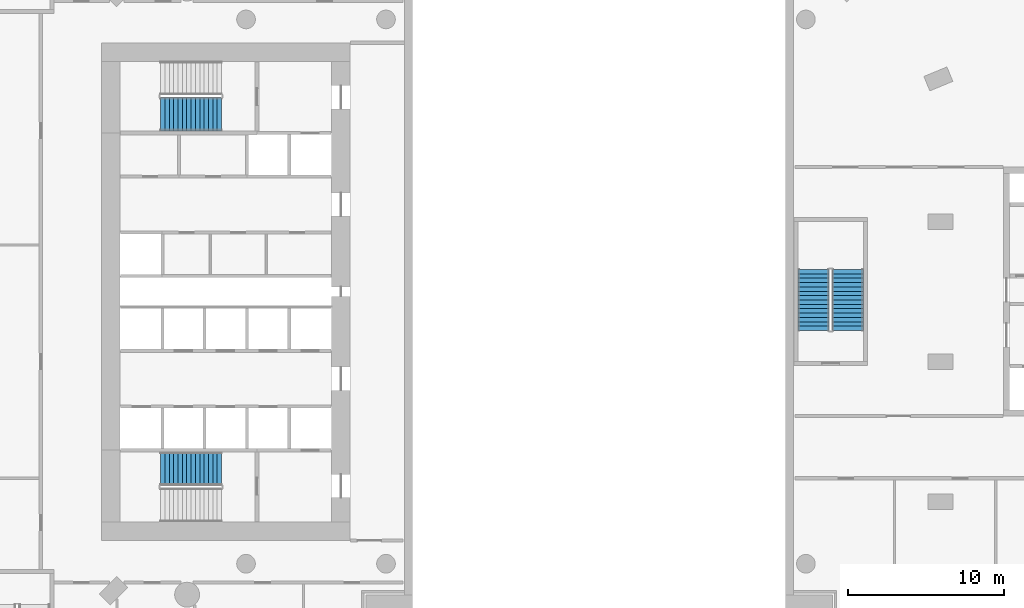
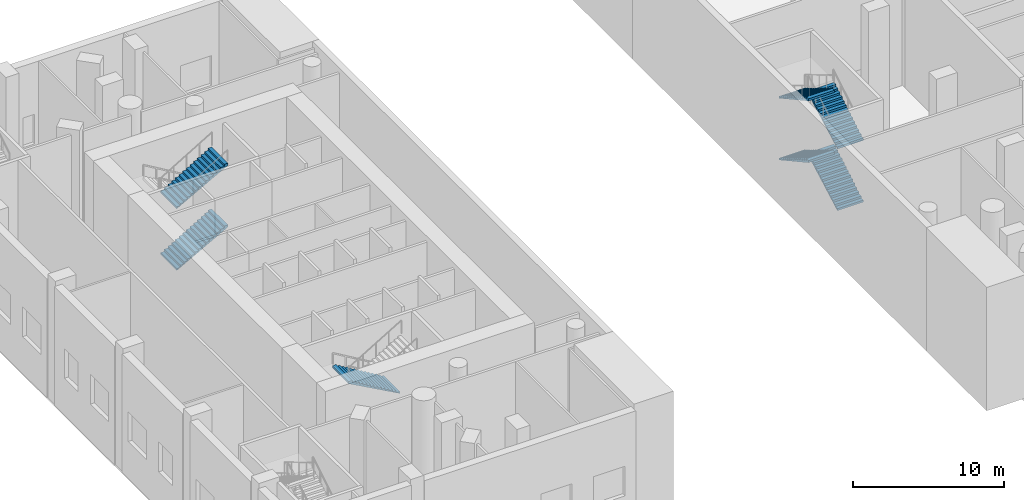
# One storey, part 11 of 17: 7 stair flights, 3 elements without a shape of their own.
"""IFC4 building model written with IfcOpenShell, lengths in metres."""

from ifc_helpers import new_model, si_unit, direction, frame, origin, place, context, subcontext, project, spatial, triangles, material, type_object, element, aggregate, save


model = new_model("IFC4")

# Units and contexts
model_context = context("Model", 3, precision=1e-05, world=origin(), true_north=direction((0.0, 1.0)))
body_context = subcontext(model_context, "Body", "Model", "MODEL_VIEW")
ifc_project = project(units=[si_unit("LENGTHUNIT", "METRE"), si_unit("AREAUNIT", "SQUARE_METRE"), si_unit("VOLUMEUNIT", "CUBIC_METRE"), si_unit("PLANEANGLEUNIT", "RADIAN"), si_unit("MASSUNIT", "GRAM", prefix="KILO")], contexts=[model_context])

# Site, building, storey
site_placement = place(None, origin())
site = spatial("IfcSite", under=ifc_project, at=site_placement, CompositionType="ELEMENT")
building_placement = place(site_placement, origin())
building = spatial("IfcBuilding", under=site, at=building_placement, Name="Cypress Arch Tower", CompositionType="ELEMENT")
storey_placement = place(building_placement, frame((0.0, 0.0, 19.0)))
storey = spatial("IfcBuildingStorey", under=building, at=storey_placement, Name="L02", CompositionType="ELEMENT", Elevation=19.0)

# Stair, stair flights
ifc_material_1 = material(Name="Concrete C40/50", Category="concrete")
stair_type_1 = type_object("IfcStairType", Name="Exit stair ES1667-200", PredefinedType="HALF_TURN_STAIR", material=ifc_material_1)
stair_1_placement = place(storey_placement, origin())
stair_1 = element("IfcStair", 1, at=stair_1_placement, inside=storey, type_object=stair_type_1, Name="L02 Exit stair C", PredefinedType="HALF_TURN_STAIR")
ifc_material_2 = material(Name="Concrete C40/50", Category="concrete")
stair_flight_type_1 = type_object("IfcStairFlightType", Name="Exit stair flight ES1667-200", PredefinedType="STRAIGHT", material=ifc_material_2)
stair_flight_1_placement = place(storey_placement, frame((18.0, -2.5, 0.0), z_axis=(0.0, 0.0, 1.0), x_axis=(0.0, 1.0, 0.0)))
stair_flight_1 = element("IfcStairFlight", 2, at=stair_flight_1_placement, type_object=stair_flight_type_1, Name="C flight 1", NumberOfRisers=15, NumberOfTreads=14, PredefinedType="STRAIGHT", RiserHeight=0.166666667, TreadLength=0.28, context=body_context, shape_type="Tessellation", body=[
    triangles([(0.0, -1.0, 0.0), (0.0, -1.0, 0.166748046875), (0.280029296875, -1.0, 0.166748046875), (0.280029296875, -1.0, 0.333251953125), (0.56005859375, -1.0, 0.333251953125), (0.56005859375, -1.0, 0.5), (0.840087890625, -1.0, 0.5), (0.840087890625, -1.0, 0.666748046875), (1.1201171875, -1.0, 0.666748046875), (1.1201171875, -1.0, 0.833251953125), (1.39990234375, -1.0, 0.833251953125), (1.39990234375, -1.0, 1.0), (1.679931640625, -1.0, 1.0), (1.679931640625, -1.0, 1.166748046875), (1.9599609375, -1.0, 1.166748046875), (1.9599609375, -1.0, 1.333251953125), (2.239990234375, -1.0, 1.333251953125), (2.239990234375, -1.0, 1.5), (2.52001953125, -1.0, 1.5), (2.52001953125, -1.0, 1.666748046875), (2.800048828125, -1.0, 1.666748046875), (2.800048828125, -1.0, 1.833251953125), (3.080078125, -1.0, 1.833251953125), (3.080078125, -1.0, 2.0), (3.360107421875, -1.0, 2.0), (3.360107421875, -1.0, 2.166748046875), (3.639892578125, -1.0, 2.166748046875), (3.639892578125, -1.0, 2.333251953125), (3.919921875, -1.0, 2.333251953125), (3.919921875, -1.0, 2.158935546875), (3.919921875, 1.0, 2.158935546875), (3.919921875, 1.0, 2.333251953125), (3.639892578125, 1.0, 2.333251953125), (3.639892578125, 1.0, 2.166748046875), (3.360107421875, 1.0, 2.166748046875), (3.360107421875, 1.0, 2.0), (3.080078125, 1.0, 2.0), (3.080078125, 1.0, 1.833251953125), (2.800048828125, 1.0, 1.833251953125), (2.800048828125, 1.0, 1.666748046875), (2.52001953125, 1.0, 1.666748046875), (2.52001953125, 1.0, 1.5), (2.239990234375, 1.0, 1.5), (2.239990234375, 1.0, 1.333251953125), (1.9599609375, 1.0, 1.333251953125), (1.9599609375, 1.0, 1.166748046875), (1.679931640625, 1.0, 1.166748046875), (1.679931640625, 1.0, 1.0), (1.39990234375, 1.0, 1.0), (1.39990234375, 1.0, 0.833251953125), (1.1201171875, 1.0, 0.833251953125), (1.1201171875, 1.0, 0.666748046875), (0.840087890625, 1.0, 0.666748046875), (0.840087890625, 1.0, 0.5), (0.56005859375, 1.0, 0.5), (0.56005859375, 1.0, 0.333251953125), (0.280029296875, 1.0, 0.333251953125), (0.280029296875, 1.0, 0.166748046875), (0.0, 1.0, 0.166748046875), (0.0, 1.0, 0.0)], [[30, 29, 28], [27, 26, 25], [25, 24, 23], [21, 20, 19], [19, 18, 17], [15, 14, 13], [13, 12, 11], [9, 8, 7], [7, 6, 5], [3, 2, 1], [11, 10, 9], [23, 22, 21], [17, 16, 15], [5, 4, 3], [30, 28, 27], [30, 27, 25], [30, 25, 23], [30, 23, 21], [30, 21, 19], [30, 19, 17], [30, 17, 15], [30, 15, 13], [30, 13, 11], [30, 11, 9], [30, 9, 7], [30, 7, 5], [1, 30, 5], [5, 3, 1], [31, 33, 32], [34, 36, 35], [36, 38, 37], [40, 42, 41], [42, 44, 43], [46, 48, 47], [48, 50, 49], [52, 54, 53], [54, 56, 55], [58, 60, 59], [50, 52, 51], [38, 40, 39], [44, 46, 45], [56, 58, 57], [31, 34, 33], [31, 36, 34], [31, 38, 36], [31, 40, 38], [31, 42, 40], [31, 44, 42], [31, 46, 44], [31, 48, 46], [31, 50, 48], [31, 52, 50], [31, 54, 52], [31, 56, 54], [60, 56, 31], [56, 60, 58], [31, 32, 29], [31, 29, 30], [32, 33, 28], [32, 28, 29], [33, 34, 27], [33, 27, 28], [34, 35, 26], [34, 26, 27], [35, 36, 25], [35, 25, 26], [36, 37, 24], [36, 24, 25], [37, 38, 23], [37, 23, 24], [38, 39, 22], [38, 22, 23], [39, 40, 21], [39, 21, 22], [40, 41, 20], [40, 20, 21], [41, 42, 19], [41, 19, 20], [42, 43, 18], [42, 18, 19], [43, 44, 17], [43, 17, 18], [44, 45, 16], [44, 16, 17], [45, 46, 15], [45, 15, 16], [46, 47, 14], [46, 14, 15], [47, 48, 13], [47, 13, 14], [48, 49, 12], [48, 12, 13], [49, 50, 11], [49, 11, 12], [50, 51, 10], [50, 10, 11], [51, 52, 9], [51, 9, 10], [52, 53, 8], [52, 8, 9], [53, 54, 7], [53, 7, 8], [54, 55, 6], [54, 6, 7], [55, 56, 5], [55, 5, 6], [56, 57, 4], [56, 4, 5], [57, 58, 3], [57, 3, 4], [58, 59, 2], [58, 2, 3], [59, 60, 1], [59, 1, 2], [60, 31, 30], [60, 30, 1]], closed=True),
])
stair_flight_2_placement = place(storey_placement, frame((15.800048828125, 1.419921875, 2.5), z_axis=(0.0, 0.0, 1.0), x_axis=(0.0, -1.0, 0.0)))
stair_flight_2 = element("IfcStairFlight", 3, at=stair_flight_2_placement, type_object=stair_flight_type_1, Name="C flight 2", NumberOfRisers=15, NumberOfTreads=14, PredefinedType="STRAIGHT", RiserHeight=0.166666667, TreadLength=0.28, context=body_context, shape_type="Tessellation", body=[
    triangles([(0.0, -1.0, 0.0), (0.0, -1.0, 0.166748046875), (0.280029296875, -1.0, 0.166748046875), (0.280029296875, -1.0, 0.333251953125), (0.56005859375, -1.0, 0.333251953125), (0.56005859375, -1.0, 0.5), (0.840087890625, -1.0, 0.5), (0.840087890625, -1.0, 0.666748046875), (1.1201171875, -1.0, 0.666748046875), (1.1201171875, -1.0, 0.833251953125), (1.39990234375, -1.0, 0.833251953125), (1.39990234375, -1.0, 1.0), (1.679931640625, -1.0, 1.0), (1.679931640625, -1.0, 1.166748046875), (1.9599609375, -1.0, 1.166748046875), (1.9599609375, -1.0, 1.333251953125), (2.239990234375, -1.0, 1.333251953125), (2.239990234375, -1.0, 1.5), (2.52001953125, -1.0, 1.5), (2.52001953125, -1.0, 1.666748046875), (2.800048828125, -1.0, 1.666748046875), (2.800048828125, -1.0, 1.833251953125), (3.080078125, -1.0, 1.833251953125), (3.080078125, -1.0, 2.0), (3.360107421875, -1.0, 2.0), (3.360107421875, -1.0, 2.166748046875), (3.639892578125, -1.0, 2.166748046875), (3.639892578125, -1.0, 2.333251953125), (3.919921875, -1.0, 2.333251953125), (3.919921875, -1.0, 2.158935546875), (3.919921875, 1.0, 2.158935546875), (3.919921875, 1.0, 2.333251953125), (3.639892578125, 1.0, 2.333251953125), (3.639892578125, 1.0, 2.166748046875), (3.360107421875, 1.0, 2.166748046875), (3.360107421875, 1.0, 2.0), (3.080078125, 1.0, 2.0), (3.080078125, 1.0, 1.833251953125), (2.800048828125, 1.0, 1.833251953125), (2.800048828125, 1.0, 1.666748046875), (2.52001953125, 1.0, 1.666748046875), (2.52001953125, 1.0, 1.5), (2.239990234375, 1.0, 1.5), (2.239990234375, 1.0, 1.333251953125), (1.9599609375, 1.0, 1.333251953125), (1.9599609375, 1.0, 1.166748046875), (1.679931640625, 1.0, 1.166748046875), (1.679931640625, 1.0, 1.0), (1.39990234375, 1.0, 1.0), (1.39990234375, 1.0, 0.833251953125), (1.1201171875, 1.0, 0.833251953125), (1.1201171875, 1.0, 0.666748046875), (0.840087890625, 1.0, 0.666748046875), (0.840087890625, 1.0, 0.5), (0.56005859375, 1.0, 0.5), (0.56005859375, 1.0, 0.333251953125), (0.280029296875, 1.0, 0.333251953125), (0.280029296875, 1.0, 0.166748046875), (0.0, 1.0, 0.166748046875), (0.0, 1.0, 0.0)], [[30, 29, 28], [27, 26, 25], [25, 24, 23], [21, 20, 19], [19, 18, 17], [15, 14, 13], [13, 12, 11], [9, 8, 7], [7, 6, 5], [3, 2, 1], [11, 10, 9], [23, 22, 21], [17, 16, 15], [5, 4, 3], [30, 28, 27], [30, 27, 25], [30, 25, 23], [30, 23, 21], [30, 21, 19], [30, 19, 17], [30, 17, 15], [30, 15, 13], [30, 13, 11], [30, 11, 9], [30, 9, 7], [30, 7, 5], [1, 30, 5], [5, 3, 1], [31, 33, 32], [34, 36, 35], [36, 38, 37], [40, 42, 41], [42, 44, 43], [46, 48, 47], [48, 50, 49], [52, 54, 53], [54, 56, 55], [58, 60, 59], [50, 52, 51], [38, 40, 39], [44, 46, 45], [56, 58, 57], [31, 34, 33], [31, 36, 34], [31, 38, 36], [31, 40, 38], [31, 42, 40], [31, 44, 42], [31, 46, 44], [31, 48, 46], [31, 50, 48], [31, 52, 50], [31, 54, 52], [31, 56, 54], [60, 56, 31], [56, 60, 58], [31, 32, 29], [31, 29, 30], [32, 33, 28], [32, 28, 29], [33, 34, 27], [33, 27, 28], [34, 35, 26], [34, 26, 27], [35, 36, 25], [35, 25, 26], [36, 37, 24], [36, 24, 25], [37, 38, 23], [37, 23, 24], [38, 39, 22], [38, 22, 23], [39, 40, 21], [39, 21, 22], [40, 41, 20], [40, 20, 21], [41, 42, 19], [41, 19, 20], [42, 43, 18], [42, 18, 19], [43, 44, 17], [43, 17, 18], [44, 45, 16], [44, 16, 17], [45, 46, 15], [45, 15, 16], [46, 47, 14], [46, 14, 15], [47, 48, 13], [47, 13, 14], [48, 49, 12], [48, 12, 13], [49, 50, 11], [49, 11, 12], [50, 51, 10], [50, 10, 11], [51, 52, 9], [51, 9, 10], [52, 53, 8], [52, 8, 9], [53, 54, 7], [53, 7, 8], [54, 55, 6], [54, 6, 7], [55, 56, 5], [55, 5, 6], [56, 57, 4], [56, 4, 5], [57, 58, 3], [57, 3, 4], [58, 59, 2], [58, 2, 3], [59, 60, 1], [59, 1, 2], [60, 31, 30], [60, 30, 1]], closed=True),
])
stair_flight_3_placement = place(storey_placement, frame((18.0, -2.5, 5.0), z_axis=(0.0, 0.0, 1.0), x_axis=(0.0, 1.0, 0.0)))
stair_flight_3 = element("IfcStairFlight", 4, at=stair_flight_3_placement, type_object=stair_flight_type_1, Name="C flight 3", NumberOfRisers=15, NumberOfTreads=14, PredefinedType="STRAIGHT", RiserHeight=0.166666667, TreadLength=0.28, context=body_context, shape_type="Tessellation", body=[
    triangles([(0.0, -1.0, 0.0), (0.0, -1.0, 0.166748046875), (0.280029296875, -1.0, 0.166748046875), (0.280029296875, -1.0, 0.333251953125), (0.56005859375, -1.0, 0.333251953125), (0.56005859375, -1.0, 0.5), (0.840087890625, -1.0, 0.5), (0.840087890625, -1.0, 0.666748046875), (1.1201171875, -1.0, 0.666748046875), (1.1201171875, -1.0, 0.833251953125), (1.39990234375, -1.0, 0.833251953125), (1.39990234375, -1.0, 1.0), (1.679931640625, -1.0, 1.0), (1.679931640625, -1.0, 1.166748046875), (1.9599609375, -1.0, 1.166748046875), (1.9599609375, -1.0, 1.333251953125), (2.239990234375, -1.0, 1.333251953125), (2.239990234375, -1.0, 1.5), (2.52001953125, -1.0, 1.5), (2.52001953125, -1.0, 1.666748046875), (2.800048828125, -1.0, 1.666748046875), (2.800048828125, -1.0, 1.833251953125), (3.080078125, -1.0, 1.833251953125), (3.080078125, -1.0, 2.0), (3.360107421875, -1.0, 2.0), (3.360107421875, -1.0, 2.166748046875), (3.639892578125, -1.0, 2.166748046875), (3.639892578125, -1.0, 2.333251953125), (3.919921875, -1.0, 2.333251953125), (3.919921875, -1.0, 2.158935546875), (3.919921875, 1.0, 2.158935546875), (3.919921875, 1.0, 2.333251953125), (3.639892578125, 1.0, 2.333251953125), (3.639892578125, 1.0, 2.166748046875), (3.360107421875, 1.0, 2.166748046875), (3.360107421875, 1.0, 2.0), (3.080078125, 1.0, 2.0), (3.080078125, 1.0, 1.833251953125), (2.800048828125, 1.0, 1.833251953125), (2.800048828125, 1.0, 1.666748046875), (2.52001953125, 1.0, 1.666748046875), (2.52001953125, 1.0, 1.5), (2.239990234375, 1.0, 1.5), (2.239990234375, 1.0, 1.333251953125), (1.9599609375, 1.0, 1.333251953125), (1.9599609375, 1.0, 1.166748046875), (1.679931640625, 1.0, 1.166748046875), (1.679931640625, 1.0, 1.0), (1.39990234375, 1.0, 1.0), (1.39990234375, 1.0, 0.833251953125), (1.1201171875, 1.0, 0.833251953125), (1.1201171875, 1.0, 0.666748046875), (0.840087890625, 1.0, 0.666748046875), (0.840087890625, 1.0, 0.5), (0.56005859375, 1.0, 0.5), (0.56005859375, 1.0, 0.333251953125), (0.280029296875, 1.0, 0.333251953125), (0.280029296875, 1.0, 0.166748046875), (0.0, 1.0, 0.166748046875), (0.0, 1.0, 0.0)], [[30, 29, 28], [27, 26, 25], [25, 24, 23], [21, 20, 19], [19, 18, 17], [15, 14, 13], [13, 12, 11], [9, 8, 7], [7, 6, 5], [3, 2, 1], [11, 10, 9], [23, 22, 21], [17, 16, 15], [5, 4, 3], [30, 28, 27], [30, 27, 25], [30, 25, 23], [30, 23, 21], [30, 21, 19], [30, 19, 17], [30, 17, 15], [30, 15, 13], [30, 13, 11], [30, 11, 9], [30, 9, 7], [30, 7, 5], [1, 30, 5], [5, 3, 1], [31, 33, 32], [34, 36, 35], [36, 38, 37], [40, 42, 41], [42, 44, 43], [46, 48, 47], [48, 50, 49], [52, 54, 53], [54, 56, 55], [58, 60, 59], [50, 52, 51], [38, 40, 39], [44, 46, 45], [56, 58, 57], [31, 34, 33], [31, 36, 34], [31, 38, 36], [31, 40, 38], [31, 42, 40], [31, 44, 42], [31, 46, 44], [31, 48, 46], [31, 50, 48], [31, 52, 50], [31, 54, 52], [31, 56, 54], [60, 56, 31], [56, 60, 58], [31, 32, 29], [31, 29, 30], [32, 33, 28], [32, 28, 29], [33, 34, 27], [33, 27, 28], [34, 35, 26], [34, 26, 27], [35, 36, 25], [35, 25, 26], [36, 37, 24], [36, 24, 25], [37, 38, 23], [37, 23, 24], [38, 39, 22], [38, 22, 23], [39, 40, 21], [39, 21, 22], [40, 41, 20], [40, 20, 21], [41, 42, 19], [41, 19, 20], [42, 43, 18], [42, 18, 19], [43, 44, 17], [43, 17, 18], [44, 45, 16], [44, 16, 17], [45, 46, 15], [45, 15, 16], [46, 47, 14], [46, 14, 15], [47, 48, 13], [47, 13, 14], [48, 49, 12], [48, 12, 13], [49, 50, 11], [49, 11, 12], [50, 51, 10], [50, 10, 11], [51, 52, 9], [51, 9, 10], [52, 53, 8], [52, 8, 9], [53, 54, 7], [53, 7, 8], [54, 55, 6], [54, 6, 7], [55, 56, 5], [55, 5, 6], [56, 57, 4], [56, 4, 5], [57, 58, 3], [57, 3, 4], [58, 59, 2], [58, 2, 3], [59, 60, 1], [59, 1, 2], [60, 31, 30], [60, 30, 1]], closed=True),
])
stair_flight_4_placement = place(storey_placement, frame((15.800048828125, 1.419921875, 7.5), z_axis=(0.0, 0.0, 1.0), x_axis=(0.0, -1.0, 0.0)))
stair_flight_4 = element("IfcStairFlight", 5, at=stair_flight_4_placement, type_object=stair_flight_type_1, Name="C flight 4", NumberOfRisers=15, NumberOfTreads=14, PredefinedType="STRAIGHT", RiserHeight=0.166666667, TreadLength=0.28, context=body_context, shape_type="Tessellation", body=[
    triangles([(0.0, -1.0, 0.0), (0.0, -1.0, 0.166748046875), (0.280029296875, -1.0, 0.166748046875), (0.280029296875, -1.0, 0.333251953125), (0.56005859375, -1.0, 0.333251953125), (0.56005859375, -1.0, 0.5), (0.840087890625, -1.0, 0.5), (0.840087890625, -1.0, 0.666748046875), (1.1201171875, -1.0, 0.666748046875), (1.1201171875, -1.0, 0.833251953125), (1.39990234375, -1.0, 0.833251953125), (1.39990234375, -1.0, 1.0), (1.679931640625, -1.0, 1.0), (1.679931640625, -1.0, 1.166748046875), (1.9599609375, -1.0, 1.166748046875), (1.9599609375, -1.0, 1.333251953125), (2.239990234375, -1.0, 1.333251953125), (2.239990234375, -1.0, 1.5), (2.52001953125, -1.0, 1.5), (2.52001953125, -1.0, 1.666748046875), (2.800048828125, -1.0, 1.666748046875), (2.800048828125, -1.0, 1.833251953125), (3.080078125, -1.0, 1.833251953125), (3.080078125, -1.0, 2.0), (3.360107421875, -1.0, 2.0), (3.360107421875, -1.0, 2.166748046875), (3.639892578125, -1.0, 2.166748046875), (3.639892578125, -1.0, 2.333251953125), (3.919921875, -1.0, 2.333251953125), (3.919921875, -1.0, 2.158935546875), (3.919921875, 1.0, 2.158935546875), (3.919921875, 1.0, 2.333251953125), (3.639892578125, 1.0, 2.333251953125), (3.639892578125, 1.0, 2.166748046875), (3.360107421875, 1.0, 2.166748046875), (3.360107421875, 1.0, 2.0), (3.080078125, 1.0, 2.0), (3.080078125, 1.0, 1.833251953125), (2.800048828125, 1.0, 1.833251953125), (2.800048828125, 1.0, 1.666748046875), (2.52001953125, 1.0, 1.666748046875), (2.52001953125, 1.0, 1.5), (2.239990234375, 1.0, 1.5), (2.239990234375, 1.0, 1.333251953125), (1.9599609375, 1.0, 1.333251953125), (1.9599609375, 1.0, 1.166748046875), (1.679931640625, 1.0, 1.166748046875), (1.679931640625, 1.0, 1.0), (1.39990234375, 1.0, 1.0), (1.39990234375, 1.0, 0.833251953125), (1.1201171875, 1.0, 0.833251953125), (1.1201171875, 1.0, 0.666748046875), (0.840087890625, 1.0, 0.666748046875), (0.840087890625, 1.0, 0.5), (0.56005859375, 1.0, 0.5), (0.56005859375, 1.0, 0.333251953125), (0.280029296875, 1.0, 0.333251953125), (0.280029296875, 1.0, 0.166748046875), (0.0, 1.0, 0.166748046875), (0.0, 1.0, 0.0)], [[30, 29, 28], [27, 26, 25], [25, 24, 23], [21, 20, 19], [19, 18, 17], [15, 14, 13], [13, 12, 11], [9, 8, 7], [7, 6, 5], [3, 2, 1], [11, 10, 9], [23, 22, 21], [17, 16, 15], [5, 4, 3], [30, 28, 27], [30, 27, 25], [30, 25, 23], [30, 23, 21], [30, 21, 19], [30, 19, 17], [30, 17, 15], [30, 15, 13], [30, 13, 11], [30, 11, 9], [30, 9, 7], [30, 7, 5], [1, 30, 5], [5, 3, 1], [31, 33, 32], [34, 36, 35], [36, 38, 37], [40, 42, 41], [42, 44, 43], [46, 48, 47], [48, 50, 49], [52, 54, 53], [54, 56, 55], [58, 60, 59], [50, 52, 51], [38, 40, 39], [44, 46, 45], [56, 58, 57], [31, 34, 33], [31, 36, 34], [31, 38, 36], [31, 40, 38], [31, 42, 40], [31, 44, 42], [31, 46, 44], [31, 48, 46], [31, 50, 48], [31, 52, 50], [31, 54, 52], [31, 56, 54], [60, 56, 31], [56, 60, 58], [31, 32, 29], [31, 29, 30], [32, 33, 28], [32, 28, 29], [33, 34, 27], [33, 27, 28], [34, 35, 26], [34, 26, 27], [35, 36, 25], [35, 25, 26], [36, 37, 24], [36, 24, 25], [37, 38, 23], [37, 23, 24], [38, 39, 22], [38, 22, 23], [39, 40, 21], [39, 21, 22], [40, 41, 20], [40, 20, 21], [41, 42, 19], [41, 19, 20], [42, 43, 18], [42, 18, 19], [43, 44, 17], [43, 17, 18], [44, 45, 16], [44, 16, 17], [45, 46, 15], [45, 15, 16], [46, 47, 14], [46, 14, 15], [47, 48, 13], [47, 13, 14], [48, 49, 12], [48, 12, 13], [49, 50, 11], [49, 11, 12], [50, 51, 10], [50, 10, 11], [51, 52, 9], [51, 9, 10], [52, 53, 8], [52, 8, 9], [53, 54, 7], [53, 7, 8], [54, 55, 6], [54, 6, 7], [55, 56, 5], [55, 5, 6], [56, 57, 4], [56, 4, 5], [57, 58, 3], [57, 3, 4], [58, 59, 2], [58, 2, 3], [59, 60, 1], [59, 1, 2], [60, 31, 30], [60, 30, 1]], closed=True),
])
aggregate(stair_1, [stair_flight_1, stair_flight_2, stair_flight_3, stair_flight_4])

# Stair, stair flight
ifc_material_3 = material(Name="Concrete C40/50", Category="concrete")
stair_type_2 = type_object("IfcStairType", Name="Exit stair ES1667-215", PredefinedType="HALF_TURN_STAIR", material=ifc_material_3)
stair_2_placement = place(storey_placement, origin())
stair_2 = element("IfcStair", 6, at=stair_2_placement, inside=storey, type_object=stair_type_2, Name="L02 Exit stair A", PredefinedType="HALF_TURN_STAIR")
ifc_material_4 = material(Name="Concrete C40/50", Category="concrete")
stair_flight_type_2 = type_object("IfcStairFlightType", Name="Exit stair flight ES1667-215", PredefinedType="STRAIGHT", material=ifc_material_4)
stair_flight_5_placement = place(storey_placement, frame((-22.27490234375, -11.39990234375, 5.0), z_axis=(0.0, 0.0, 1.0), x_axis=(-1.0, 0.0, 0.0)))
stair_flight_5 = element("IfcStairFlight", 7, at=stair_flight_5_placement, type_object=stair_flight_type_2, Name="A flight 3", NumberOfRisers=15, NumberOfTreads=14, PredefinedType="STRAIGHT", RiserHeight=0.166666667, TreadLength=0.28, context=body_context, shape_type="Tessellation", body=[
    triangles([(0.0, -1.074951171875, 0.0), (0.00048828125, -1.074951171875, 0.0556640625), (0.00048828125, -1.074951171875, 0.111083984375), (0.0, -1.074951171875, 0.166748046875), (0.280029296875, -1.074951171875, 0.166748046875), (0.280029296875, -1.074951171875, 0.333251953125), (0.56005859375, -1.074951171875, 0.333251953125), (0.56005859375, -1.074951171875, 0.5), (0.840087890625, -1.074951171875, 0.5), (0.840087890625, -1.074951171875, 0.666748046875), (1.1201171875, -1.074951171875, 0.666748046875), (1.1201171875, -1.074951171875, 0.833251953125), (1.39990234375, -1.074951171875, 0.833251953125), (1.39990234375, -1.074951171875, 1.0), (1.679931640625, -1.074951171875, 1.0), (1.679931640625, -1.074951171875, 1.166748046875), (1.9599609375, -1.074951171875, 1.166748046875), (1.9599609375, -1.074951171875, 1.333251953125), (2.239990234375, -1.074951171875, 1.333251953125), (2.239990234375, -1.074951171875, 1.5), (2.52001953125, -1.074951171875, 1.5), (2.52001953125, -1.074951171875, 1.666748046875), (2.800048828125, -1.074951171875, 1.666748046875), (2.800048828125, -1.074951171875, 1.833251953125), (3.080078125, -1.074951171875, 1.833251953125), (3.080078125, -1.074951171875, 2.0), (3.360107421875, -1.074951171875, 2.0), (3.360107421875, -1.074951171875, 2.166748046875), (3.639892578125, -1.074951171875, 2.166748046875), (3.639892578125, -1.074951171875, 2.333251953125), (3.919921875, -1.074951171875, 2.333251953125), (3.91943359375, -1.074951171875, 2.275146484375), (3.91943359375, -1.074951171875, 2.217041015625), (3.919921875, -1.074951171875, 2.158935546875), (3.919921875, 1.074951171875, 2.158935546875), (3.91943359375, 1.074951171875, 2.217041015625), (3.91943359375, 1.074951171875, 2.275146484375), (3.919921875, 1.074951171875, 2.333251953125), (3.639892578125, 1.074951171875, 2.333251953125), (3.639892578125, 1.074951171875, 2.166748046875), (3.360107421875, 1.074951171875, 2.166748046875), (3.360107421875, 1.074951171875, 2.0), (3.080078125, 1.074951171875, 2.0), (3.080078125, 1.074951171875, 1.833251953125), (2.800048828125, 1.074951171875, 1.833251953125), (2.800048828125, 1.074951171875, 1.666748046875), (2.52001953125, 1.074951171875, 1.666748046875), (2.52001953125, 1.074951171875, 1.5), (2.239990234375, 1.074951171875, 1.5), (2.239990234375, 1.074951171875, 1.333251953125), (1.9599609375, 1.074951171875, 1.333251953125), (1.9599609375, 1.074951171875, 1.166748046875), (1.679931640625, 1.074951171875, 1.166748046875), (1.679931640625, 1.074951171875, 1.0), (1.39990234375, 1.074951171875, 1.0), (1.39990234375, 1.074951171875, 0.833251953125), (1.1201171875, 1.074951171875, 0.833251953125), (1.1201171875, 1.074951171875, 0.666748046875), (0.840087890625, 1.074951171875, 0.666748046875), (0.840087890625, 1.074951171875, 0.5), (0.56005859375, 1.074951171875, 0.5), (0.56005859375, 1.074951171875, 0.333251953125), (0.280029296875, 1.074951171875, 0.333251953125), (0.280029296875, 1.074951171875, 0.166748046875), (0.0, 1.074951171875, 0.166748046875), (0.00048828125, 1.074951171875, 0.111083984375), (0.00048828125, 1.074951171875, 0.0556640625), (0.0, 1.074951171875, 0.0)], [[34, 33, 30], [33, 32, 30], [32, 31, 30], [29, 28, 27], [27, 26, 25], [23, 22, 21], [21, 20, 19], [17, 16, 15], [15, 14, 13], [11, 10, 9], [9, 8, 7], [4, 3, 5], [3, 2, 5], [2, 1, 5], [13, 12, 11], [25, 24, 23], [19, 18, 17], [7, 6, 5], [34, 30, 29], [34, 29, 27], [34, 27, 25], [34, 25, 23], [34, 23, 21], [34, 21, 19], [34, 19, 17], [34, 17, 15], [34, 15, 13], [34, 13, 11], [34, 11, 9], [34, 9, 7], [1, 34, 7], [7, 5, 1], [35, 39, 36], [36, 39, 37], [37, 39, 38], [40, 42, 41], [42, 44, 43], [46, 48, 47], [48, 50, 49], [52, 54, 53], [54, 56, 55], [58, 60, 59], [60, 62, 61], [65, 64, 66], [66, 64, 67], [67, 64, 68], [56, 58, 57], [44, 46, 45], [50, 52, 51], [62, 64, 63], [35, 40, 39], [35, 42, 40], [35, 44, 42], [35, 46, 44], [35, 48, 46], [35, 50, 48], [35, 52, 50], [35, 54, 52], [35, 56, 54], [35, 58, 56], [35, 60, 58], [35, 62, 60], [68, 62, 35], [62, 68, 64], [35, 36, 33], [35, 33, 34], [36, 37, 32], [36, 32, 33], [37, 38, 31], [37, 31, 32], [38, 39, 30], [38, 30, 31], [39, 40, 29], [39, 29, 30], [40, 41, 28], [40, 28, 29], [41, 42, 27], [41, 27, 28], [42, 43, 26], [42, 26, 27], [43, 44, 25], [43, 25, 26], [44, 45, 24], [44, 24, 25], [45, 46, 23], [45, 23, 24], [46, 47, 22], [46, 22, 23], [47, 48, 21], [47, 21, 22], [48, 49, 20], [48, 20, 21], [49, 50, 19], [49, 19, 20], [50, 51, 18], [50, 18, 19], [51, 52, 17], [51, 17, 18], [52, 53, 16], [52, 16, 17], [53, 54, 15], [53, 15, 16], [54, 55, 14], [54, 14, 15], [55, 56, 13], [55, 13, 14], [56, 57, 12], [56, 12, 13], [57, 58, 11], [57, 11, 12], [58, 59, 10], [58, 10, 11], [59, 60, 9], [59, 9, 10], [60, 61, 8], [60, 8, 9], [61, 62, 7], [61, 7, 8], [62, 63, 6], [62, 6, 7], [63, 64, 5], [63, 5, 6], [64, 65, 4], [64, 4, 5], [65, 66, 3], [65, 3, 4], [66, 67, 2], [66, 2, 3], [67, 68, 1], [67, 1, 2], [68, 35, 34], [68, 34, 1]], closed=True),
])
aggregate(stair_2, [stair_flight_5])

# Stair, stair flights
stair_3_placement = place(storey_placement, origin())
stair_3 = element("IfcStair", 8, at=stair_3_placement, inside=storey, type_object=stair_type_2, Name="L02 Exit stair B", PredefinedType="HALF_TURN_STAIR")
stair_flight_6_placement = place(storey_placement, frame((-26.195068359375, 11.39990234375, 2.5), z_axis=(0.0, 0.0, 1.0), x_axis=(1.0, 0.0, 0.0)))
stair_flight_6 = element("IfcStairFlight", 9, at=stair_flight_6_placement, type_object=stair_flight_type_2, Name="B flight 2", NumberOfRisers=15, NumberOfTreads=14, PredefinedType="STRAIGHT", RiserHeight=0.166666667, TreadLength=0.28, context=body_context, shape_type="Tessellation", body=[
    triangles([(0.0, -1.074951171875, 0.0), (0.00048828125, -1.074951171875, 0.0556640625), (0.00048828125, -1.074951171875, 0.111083984375), (0.0, -1.074951171875, 0.166748046875), (0.280029296875, -1.074951171875, 0.166748046875), (0.280029296875, -1.074951171875, 0.333251953125), (0.56005859375, -1.074951171875, 0.333251953125), (0.56005859375, -1.074951171875, 0.5), (0.840087890625, -1.074951171875, 0.5), (0.840087890625, -1.074951171875, 0.666748046875), (1.1201171875, -1.074951171875, 0.666748046875), (1.1201171875, -1.074951171875, 0.833251953125), (1.39990234375, -1.074951171875, 0.833251953125), (1.39990234375, -1.074951171875, 1.0), (1.679931640625, -1.074951171875, 1.0), (1.679931640625, -1.074951171875, 1.166748046875), (1.9599609375, -1.074951171875, 1.166748046875), (1.9599609375, -1.074951171875, 1.333251953125), (2.239990234375, -1.074951171875, 1.333251953125), (2.239990234375, -1.074951171875, 1.5), (2.52001953125, -1.074951171875, 1.5), (2.52001953125, -1.074951171875, 1.666748046875), (2.800048828125, -1.074951171875, 1.666748046875), (2.800048828125, -1.074951171875, 1.833251953125), (3.080078125, -1.074951171875, 1.833251953125), (3.080078125, -1.074951171875, 2.0), (3.360107421875, -1.074951171875, 2.0), (3.360107421875, -1.074951171875, 2.166748046875), (3.639892578125, -1.074951171875, 2.166748046875), (3.639892578125, -1.074951171875, 2.333251953125), (3.919921875, -1.074951171875, 2.333251953125), (3.91943359375, -1.074951171875, 2.275146484375), (3.91943359375, -1.074951171875, 2.217041015625), (3.919921875, -1.074951171875, 2.158935546875), (3.919921875, 1.074951171875, 2.158935546875), (3.91943359375, 1.074951171875, 2.217041015625), (3.91943359375, 1.074951171875, 2.275146484375), (3.919921875, 1.074951171875, 2.333251953125), (3.639892578125, 1.074951171875, 2.333251953125), (3.639892578125, 1.074951171875, 2.166748046875), (3.360107421875, 1.074951171875, 2.166748046875), (3.360107421875, 1.074951171875, 2.0), (3.080078125, 1.074951171875, 2.0), (3.080078125, 1.074951171875, 1.833251953125), (2.800048828125, 1.074951171875, 1.833251953125), (2.800048828125, 1.074951171875, 1.666748046875), (2.52001953125, 1.074951171875, 1.666748046875), (2.52001953125, 1.074951171875, 1.5), (2.239990234375, 1.074951171875, 1.5), (2.239990234375, 1.074951171875, 1.333251953125), (1.9599609375, 1.074951171875, 1.333251953125), (1.9599609375, 1.074951171875, 1.166748046875), (1.679931640625, 1.074951171875, 1.166748046875), (1.679931640625, 1.074951171875, 1.0), (1.39990234375, 1.074951171875, 1.0), (1.39990234375, 1.074951171875, 0.833251953125), (1.1201171875, 1.074951171875, 0.833251953125), (1.1201171875, 1.074951171875, 0.666748046875), (0.840087890625, 1.074951171875, 0.666748046875), (0.840087890625, 1.074951171875, 0.5), (0.56005859375, 1.074951171875, 0.5), (0.56005859375, 1.074951171875, 0.333251953125), (0.280029296875, 1.074951171875, 0.333251953125), (0.280029296875, 1.074951171875, 0.166748046875), (0.0, 1.074951171875, 0.166748046875), (0.00048828125, 1.074951171875, 0.111083984375), (0.00048828125, 1.074951171875, 0.0556640625), (0.0, 1.074951171875, 0.0)], [[34, 33, 30], [33, 32, 30], [32, 31, 30], [29, 28, 27], [27, 26, 25], [23, 22, 21], [21, 20, 19], [17, 16, 15], [15, 14, 13], [11, 10, 9], [9, 8, 7], [4, 3, 5], [3, 2, 5], [2, 1, 5], [13, 12, 11], [25, 24, 23], [19, 18, 17], [7, 6, 5], [34, 30, 29], [34, 29, 27], [34, 27, 25], [34, 25, 23], [34, 23, 21], [34, 21, 19], [34, 19, 17], [34, 17, 15], [34, 15, 13], [34, 13, 11], [34, 11, 9], [34, 9, 7], [1, 34, 7], [7, 5, 1], [35, 39, 36], [36, 39, 37], [37, 39, 38], [40, 42, 41], [42, 44, 43], [46, 48, 47], [48, 50, 49], [52, 54, 53], [54, 56, 55], [58, 60, 59], [60, 62, 61], [65, 64, 66], [66, 64, 67], [67, 64, 68], [56, 58, 57], [44, 46, 45], [50, 52, 51], [62, 64, 63], [35, 40, 39], [35, 42, 40], [35, 44, 42], [35, 46, 44], [35, 48, 46], [35, 50, 48], [35, 52, 50], [35, 54, 52], [35, 56, 54], [35, 58, 56], [35, 60, 58], [35, 62, 60], [68, 62, 35], [62, 68, 64], [35, 36, 33], [35, 33, 34], [36, 37, 32], [36, 32, 33], [37, 38, 31], [37, 31, 32], [38, 39, 30], [38, 30, 31], [39, 40, 29], [39, 29, 30], [40, 41, 28], [40, 28, 29], [41, 42, 27], [41, 27, 28], [42, 43, 26], [42, 26, 27], [43, 44, 25], [43, 25, 26], [44, 45, 24], [44, 24, 25], [45, 46, 23], [45, 23, 24], [46, 47, 22], [46, 22, 23], [47, 48, 21], [47, 21, 22], [48, 49, 20], [48, 20, 21], [49, 50, 19], [49, 19, 20], [50, 51, 18], [50, 18, 19], [51, 52, 17], [51, 17, 18], [52, 53, 16], [52, 16, 17], [53, 54, 15], [53, 15, 16], [54, 55, 14], [54, 14, 15], [55, 56, 13], [55, 13, 14], [56, 57, 12], [56, 12, 13], [57, 58, 11], [57, 11, 12], [58, 59, 10], [58, 10, 11], [59, 60, 9], [59, 9, 10], [60, 61, 8], [60, 8, 9], [61, 62, 7], [61, 7, 8], [62, 63, 6], [62, 6, 7], [63, 64, 5], [63, 5, 6], [64, 65, 4], [64, 4, 5], [65, 66, 3], [65, 3, 4], [66, 67, 2], [66, 2, 3], [67, 68, 1], [67, 1, 2], [68, 35, 34], [68, 34, 1]], closed=True),
])
stair_flight_7_placement = place(storey_placement, frame((-26.195068359375, 11.39990234375, 7.5), z_axis=(0.0, 0.0, 1.0), x_axis=(1.0, 0.0, 0.0)))
stair_flight_7 = element("IfcStairFlight", 10, at=stair_flight_7_placement, type_object=stair_flight_type_2, Name="B flight 4", NumberOfRisers=15, NumberOfTreads=14, PredefinedType="STRAIGHT", RiserHeight=0.166666667, TreadLength=0.28, context=body_context, shape_type="Tessellation", body=[
    triangles([(0.0, -1.074951171875, 0.0), (0.00048828125, -1.074951171875, 0.0556640625), (0.00048828125, -1.074951171875, 0.111083984375), (0.0, -1.074951171875, 0.166748046875), (0.280029296875, -1.074951171875, 0.166748046875), (0.280029296875, -1.074951171875, 0.333251953125), (0.56005859375, -1.074951171875, 0.333251953125), (0.56005859375, -1.074951171875, 0.5), (0.840087890625, -1.074951171875, 0.5), (0.840087890625, -1.074951171875, 0.666748046875), (1.1201171875, -1.074951171875, 0.666748046875), (1.1201171875, -1.074951171875, 0.833251953125), (1.39990234375, -1.074951171875, 0.833251953125), (1.39990234375, -1.074951171875, 1.0), (1.679931640625, -1.074951171875, 1.0), (1.679931640625, -1.074951171875, 1.166748046875), (1.9599609375, -1.074951171875, 1.166748046875), (1.9599609375, -1.074951171875, 1.333251953125), (2.239990234375, -1.074951171875, 1.333251953125), (2.239990234375, -1.074951171875, 1.5), (2.52001953125, -1.074951171875, 1.5), (2.52001953125, -1.074951171875, 1.666748046875), (2.800048828125, -1.074951171875, 1.666748046875), (2.800048828125, -1.074951171875, 1.833251953125), (3.080078125, -1.074951171875, 1.833251953125), (3.080078125, -1.074951171875, 2.0), (3.360107421875, -1.074951171875, 2.0), (3.360107421875, -1.074951171875, 2.166748046875), (3.639892578125, -1.074951171875, 2.166748046875), (3.639892578125, -1.074951171875, 2.333251953125), (3.919921875, -1.074951171875, 2.333251953125), (3.91943359375, -1.074951171875, 2.275146484375), (3.91943359375, -1.074951171875, 2.217041015625), (3.919921875, -1.074951171875, 2.158935546875), (3.919921875, 1.074951171875, 2.158935546875), (3.91943359375, 1.074951171875, 2.217041015625), (3.91943359375, 1.074951171875, 2.275146484375), (3.919921875, 1.074951171875, 2.333251953125), (3.639892578125, 1.074951171875, 2.333251953125), (3.639892578125, 1.074951171875, 2.166748046875), (3.360107421875, 1.074951171875, 2.166748046875), (3.360107421875, 1.074951171875, 2.0), (3.080078125, 1.074951171875, 2.0), (3.080078125, 1.074951171875, 1.833251953125), (2.800048828125, 1.074951171875, 1.833251953125), (2.800048828125, 1.074951171875, 1.666748046875), (2.52001953125, 1.074951171875, 1.666748046875), (2.52001953125, 1.074951171875, 1.5), (2.239990234375, 1.074951171875, 1.5), (2.239990234375, 1.074951171875, 1.333251953125), (1.9599609375, 1.074951171875, 1.333251953125), (1.9599609375, 1.074951171875, 1.166748046875), (1.679931640625, 1.074951171875, 1.166748046875), (1.679931640625, 1.074951171875, 1.0), (1.39990234375, 1.074951171875, 1.0), (1.39990234375, 1.074951171875, 0.833251953125), (1.1201171875, 1.074951171875, 0.833251953125), (1.1201171875, 1.074951171875, 0.666748046875), (0.840087890625, 1.074951171875, 0.666748046875), (0.840087890625, 1.074951171875, 0.5), (0.56005859375, 1.074951171875, 0.5), (0.56005859375, 1.074951171875, 0.333251953125), (0.280029296875, 1.074951171875, 0.333251953125), (0.280029296875, 1.074951171875, 0.166748046875), (0.0, 1.074951171875, 0.166748046875), (0.00048828125, 1.074951171875, 0.111083984375), (0.00048828125, 1.074951171875, 0.0556640625), (0.0, 1.074951171875, 0.0)], [[34, 33, 30], [33, 32, 30], [32, 31, 30], [29, 28, 27], [27, 26, 25], [23, 22, 21], [21, 20, 19], [17, 16, 15], [15, 14, 13], [11, 10, 9], [9, 8, 7], [4, 3, 5], [3, 2, 5], [2, 1, 5], [13, 12, 11], [25, 24, 23], [19, 18, 17], [7, 6, 5], [34, 30, 29], [34, 29, 27], [34, 27, 25], [34, 25, 23], [34, 23, 21], [34, 21, 19], [34, 19, 17], [34, 17, 15], [34, 15, 13], [34, 13, 11], [34, 11, 9], [34, 9, 7], [1, 34, 7], [7, 5, 1], [35, 39, 36], [36, 39, 37], [37, 39, 38], [40, 42, 41], [42, 44, 43], [46, 48, 47], [48, 50, 49], [52, 54, 53], [54, 56, 55], [58, 60, 59], [60, 62, 61], [65, 64, 66], [66, 64, 67], [67, 64, 68], [56, 58, 57], [44, 46, 45], [50, 52, 51], [62, 64, 63], [35, 40, 39], [35, 42, 40], [35, 44, 42], [35, 46, 44], [35, 48, 46], [35, 50, 48], [35, 52, 50], [35, 54, 52], [35, 56, 54], [35, 58, 56], [35, 60, 58], [35, 62, 60], [68, 62, 35], [62, 68, 64], [35, 36, 33], [35, 33, 34], [36, 37, 32], [36, 32, 33], [37, 38, 31], [37, 31, 32], [38, 39, 30], [38, 30, 31], [39, 40, 29], [39, 29, 30], [40, 41, 28], [40, 28, 29], [41, 42, 27], [41, 27, 28], [42, 43, 26], [42, 26, 27], [43, 44, 25], [43, 25, 26], [44, 45, 24], [44, 24, 25], [45, 46, 23], [45, 23, 24], [46, 47, 22], [46, 22, 23], [47, 48, 21], [47, 21, 22], [48, 49, 20], [48, 20, 21], [49, 50, 19], [49, 19, 20], [50, 51, 18], [50, 18, 19], [51, 52, 17], [51, 17, 18], [52, 53, 16], [52, 16, 17], [53, 54, 15], [53, 15, 16], [54, 55, 14], [54, 14, 15], [55, 56, 13], [55, 13, 14], [56, 57, 12], [56, 12, 13], [57, 58, 11], [57, 11, 12], [58, 59, 10], [58, 10, 11], [59, 60, 9], [59, 9, 10], [60, 61, 8], [60, 8, 9], [61, 62, 7], [61, 7, 8], [62, 63, 6], [62, 6, 7], [63, 64, 5], [63, 5, 6], [64, 65, 4], [64, 4, 5], [65, 66, 3], [65, 3, 4], [66, 67, 2], [66, 2, 3], [67, 68, 1], [67, 1, 2], [68, 35, 34], [68, 34, 1]], closed=True),
])
aggregate(stair_3, [stair_flight_6, stair_flight_7])

save(model, "model.ifc")
